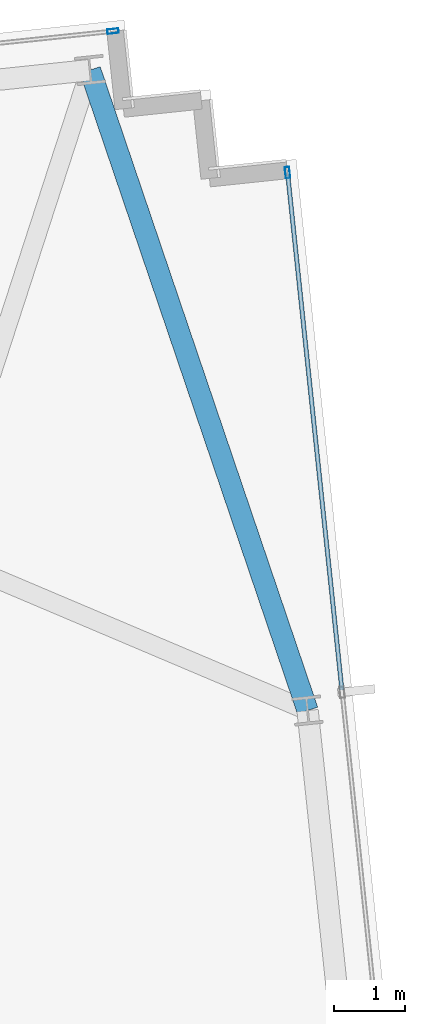
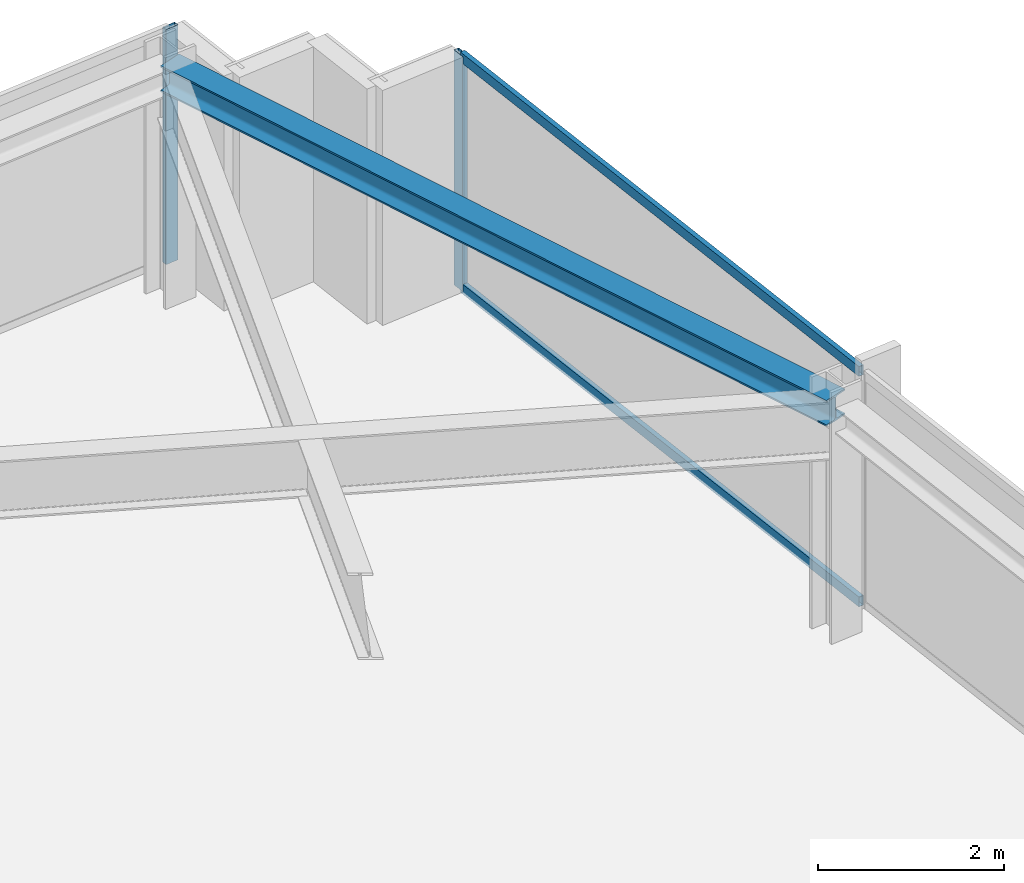
# One storey, part 25 of 33: 4 members, 1 beam, 2 elements without a shape of their own.
"""IFC4 building model written with IfcOpenShell, lengths in metres."""

from ifc_helpers import new_model, si_unit, direction, frame, origin, origin_2d, place, context, subcontext, project, spatial, hollow_rectangle, i_section, extrude, material, material_profile, profile_set, type_object, element, aggregate, save


model = new_model("IFC4")

# Units and contexts
model_context = context("Model", 3, precision=1e-05, world=origin(), true_north=direction((0.0, 1.0)))
body_context = subcontext(model_context, "Body", "Model", "MODEL_VIEW")
ifc_project = project(units=[si_unit("LENGTHUNIT", "METRE"), si_unit("AREAUNIT", "SQUARE_METRE"), si_unit("VOLUMEUNIT", "CUBIC_METRE"), si_unit("PLANEANGLEUNIT", "RADIAN"), si_unit("MASSUNIT", "GRAM", prefix="KILO")], contexts=[model_context])

# Site, building, storey
site_placement = place(None, origin())
site = spatial("IfcSite", under=ifc_project, at=site_placement, CompositionType="ELEMENT")
building_placement = place(site_placement, origin())
building = spatial("IfcBuilding", under=site, at=building_placement, Name="Yelkora Congress Tower", CompositionType="ELEMENT")
storey_placement = place(building_placement, frame((0.0, 0.0, 230.89990234375)))
storey = spatial("IfcBuildingStorey", under=building, at=storey_placement, Name="L64", CompositionType="ELEMENT", Elevation=230.89990234375)

# Beam
ifc_material_1 = material(Name="Steel S355J2", Category="steel")
ifc_material_profile_1 = material_profile(ifc_material_1, i_section(OverallWidth=0.300048828125, OverallDepth=0.340087890625, WebThickness=0.011962890625, FlangeThickness=0.021484375, FilletRadius=0.027099609375, at=origin_2d()), Name="HEB 340")
ifc_profile_set_1 = profile_set([ifc_material_profile_1], Name="Steel S355J2")
beam_type = type_object("IfcBeamType", Name="BM-SPAN-HEB340", PredefinedType="SPANDREL", material=ifc_profile_set_1)
beam_placement = place(storey_placement, frame((68.85400390625, 41.431884765625, 2.91015625), z_axis=(-0.321575477611, 0.946883948644, 0.0), x_axis=(-0.946883948644, -0.321575477611, 0.0)))
element("IfcBeam", 1, at=beam_placement, inside=storey, type_object=beam_type, Name="L64 Perimeter Beam 12", PredefinedType="SPANDREL", context=body_context, shape_type="SweptSolid", body=[
    extrude(i_section(OverallWidth=0.300048828125, OverallDepth=0.340087890625, WebThickness=0.011962890625, FlangeThickness=0.021484375, FilletRadius=0.027099609375, at=origin_2d()), origin(), (0.0, 0.0, 1.0), 9.509765625),
])

# Curtain wall, member
ifc_material_2 = material(Name="Anodised aluminium and insulated glass", Category="aluminium")
curtain_wall_type = type_object("IfcCurtainWallType", Name="CW-SYS-B4", PredefinedType="NOTDEFINED", material=ifc_material_2)
curtain_wall_1_placement = place(storey_placement, origin())
curtain_wall_1 = element("IfcCurtainWall", 2, at=curtain_wall_1_placement, inside=storey, type_object=curtain_wall_type, Name="L64 Unitised Curtain Wall 10 (3)", PredefinedType="NOTDEFINED")
ifc_material_3 = material(Name="Anodised aluminium 6063-T6", Category="aluminium")
ifc_material_profile_2 = material_profile(ifc_material_3, hollow_rectangle(XDim=0.06494140625, YDim=0.159912109375, WallThickness=0.00390625, at=origin_2d()), Name="ALU 65x160x4")
ifc_profile_set_2 = profile_set([ifc_material_profile_2], Name="Anodised aluminium 6063-T6")
member_type_1 = type_object("IfcMemberType", Name="MEM-ML-B4", PredefinedType="MULLION", material=ifc_profile_set_2)
member_1_placement = place(storey_placement, frame((66.1181640625, 50.983154296875, 0.0), z_axis=(0.0, 0.0, 1.0), x_axis=(-0.104527724021, 0.994521973066, 0.0)))
member_1 = element("IfcMember", 3, at=member_1_placement, type_object=member_type_1, Name="CW-B4 mullion 7", PredefinedType="MULLION", context=body_context, shape_type="SweptSolid", body=[
    extrude(hollow_rectangle(XDim=0.06494140625, YDim=0.159912109375, WallThickness=0.00390625, at=origin_2d()), origin(), (0.0, 0.0, 1.0), 3.080078125),
])
aggregate(curtain_wall_1, [member_1])

# Curtain wall, members
curtain_wall_2_placement = place(storey_placement, origin())
curtain_wall_2 = element("IfcCurtainWall", 4, at=curtain_wall_2_placement, inside=storey, type_object=curtain_wall_type, Name="L64 Unitised Curtain Wall 15", PredefinedType="NOTDEFINED")
member_2_placement = place(storey_placement, frame((68.57177734375, 48.996337890625, 0.0), z_axis=(0.0, 0.0, 1.0), x_axis=(0.994522182968, 0.104525726898, 0.0)))
member_2 = element("IfcMember", 5, at=member_2_placement, type_object=member_type_1, Name="CW-B4 mullion 1", PredefinedType="MULLION", context=body_context, shape_type="SweptSolid", body=[
    extrude(hollow_rectangle(XDim=0.06494140625, YDim=0.159912109375, WallThickness=0.00390625, at=origin_2d()), origin(), (0.0, 0.0, 1.0), 3.080078125),
])
ifc_material_profile_3 = material_profile(ifc_material_3, hollow_rectangle(XDim=0.06005859375, YDim=0.1298828125, WallThickness=0.00390625, at=origin_2d()), Name="ALU 60x130x4")
ifc_profile_set_3 = profile_set([ifc_material_profile_3], Name="Anodised aluminium 6063-T6")
member_type_2 = type_object("IfcMemberType", Name="MEM-TR-B4", PredefinedType="USERDEFINED", material=ifc_profile_set_3)
member_3_placement = place(storey_placement, frame((68.5751953125, 48.9638671875, 0.030029296875), z_axis=(0.104531210832, -0.994521606584, 0.0), x_axis=(0.994521606584, 0.104531210832, 0.0)))
member_3 = element("IfcMember", 6, at=member_3_placement, type_object=member_type_2, Name="CW-B4 transom 1.1", ObjectType="TRANSOM", PredefinedType="USERDEFINED", context=body_context, shape_type="SweptSolid", body=[
    extrude(hollow_rectangle(XDim=0.06005859375, YDim=0.1298828125, WallThickness=0.00390625, at=origin_2d()), origin(), (0.0, 0.0, 1.0), 7.2822265625),
])
member_4_placement = place(storey_placement, frame((68.5751953125, 48.9638671875, 3.050048828125), z_axis=(0.104531210832, -0.994521606584, 0.0), x_axis=(0.994521606584, 0.104531210832, 0.0)))
member_4 = element("IfcMember", 7, at=member_4_placement, type_object=member_type_2, Name="CW-B4 transom 1.2", ObjectType="TRANSOM", PredefinedType="USERDEFINED", context=body_context, shape_type="SweptSolid", body=[
    extrude(hollow_rectangle(XDim=0.06005859375, YDim=0.1298828125, WallThickness=0.00390625, at=origin_2d()), origin(), (0.0, 0.0, 1.0), 7.2822265625),
])
aggregate(curtain_wall_2, [member_2, member_3, member_4])

save(model, "model.ifc")
